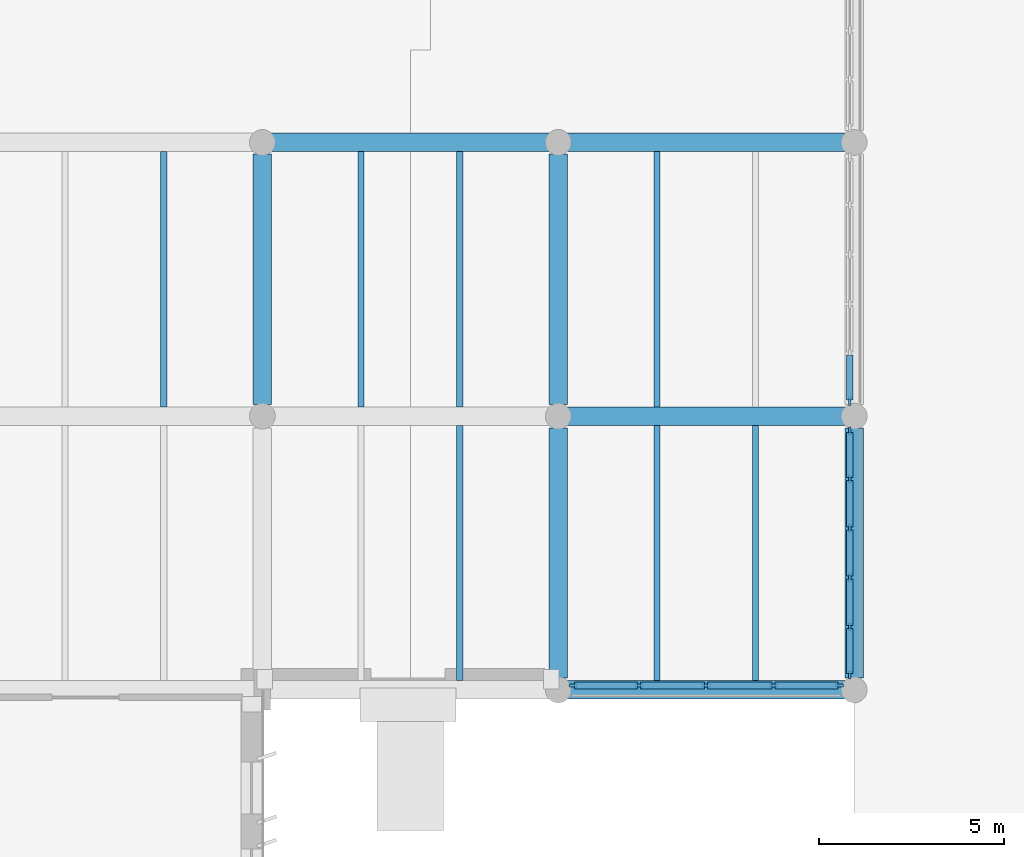
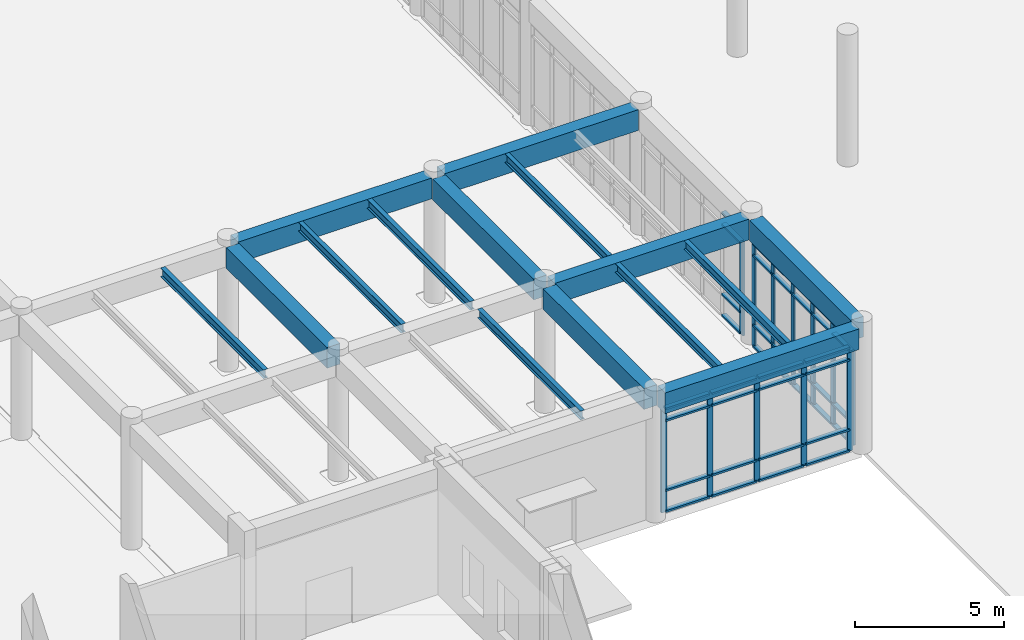
# One storey, part 4 of 56: 52 members, 15 beams, 3 elements without a shape of their own.
"""IFC4 building model written with IfcOpenShell, lengths in metres."""

from ifc_helpers import new_model, si_unit, direction, frame, origin, origin_2d, place, context, subcontext, project, spatial, rectangle, i_section, extrude, material, layer, layer_set, material_profile, profile_set, type_object, element, aggregate, save


model = new_model("IFC4")

# Units and contexts
model_context = context("Model", 3, precision=1e-05, world=origin(), true_north=direction((0.0, 1.0)))
body_context = subcontext(model_context, "Body", "Model", "MODEL_VIEW")
ifc_project = project(units=[si_unit("LENGTHUNIT", "METRE"), si_unit("AREAUNIT", "SQUARE_METRE"), si_unit("VOLUMEUNIT", "CUBIC_METRE"), si_unit("PLANEANGLEUNIT", "RADIAN"), si_unit("MASSUNIT", "GRAM", prefix="KILO")], contexts=[model_context])

# Site, building, storey
site_placement = place(None, origin())
site = spatial("IfcSite", under=ifc_project, at=site_placement, CompositionType="ELEMENT")
building_placement = place(site_placement, origin())
building = spatial("IfcBuilding", under=site, at=building_placement, Name="Valkorina Park Police Headquarters", CompositionType="ELEMENT")
storey_placement = place(building_placement, origin())
storey = spatial("IfcBuildingStorey", under=building, at=storey_placement, Name="L01", CompositionType="ELEMENT", Elevation=0.0)

# Beams
ifc_material_1 = material(Name="Concrete C40/50", Category="concrete")
ifc_material_profile_1 = material_profile(ifc_material_1, rectangle(XDim=0.5, YDim=0.85009765625, at=origin_2d()), Name="RC BEAM 500x850")
ifc_profile_set_1 = profile_set([ifc_material_profile_1], Name="Concrete C40/50")
beam_type_1 = type_object("IfcBeamType", Name="BM-RC-500x850-EXT", PredefinedType="SPANDREL", material=ifc_profile_set_1)
beam_1_placement = place(storey_placement, frame((73.044921875, 22.199951171875, 4.715087890625), z_axis=(1.0, 0.0, 0.0), x_axis=(0.0, 1.0, 0.0)))
element("IfcBeam", 1, at=beam_1_placement, inside=storey, type_object=beam_type_1, Name="L01 Framing Beam 0724", PredefinedType="SPANDREL", context=body_context, shape_type="SweptSolid", body=[
    extrude(rectangle(XDim=0.5, YDim=0.85009765625, at=origin_2d()), origin(), (0.0, 0.0, 1.0), 7.51025390625),
])
beam_2_placement = place(storey_placement, frame((80.800048828125, 22.51611328125, 4.715087890625), z_axis=(0.0, 1.0, 0.0), x_axis=(-1.0, 0.0, 0.0)))
element("IfcBeam", 2, at=beam_2_placement, inside=storey, type_object=beam_type_1, Name="L01 Framing Beam 1074", PredefinedType="SPANDREL", context=body_context, shape_type="SweptSolid", body=[
    extrude(rectangle(XDim=0.5, YDim=0.85009765625, at=origin_2d()), origin(), (0.0, 0.0, 1.0), 6.767578125),
])
ifc_material_profile_2 = material_profile(ifc_material_1, rectangle(XDim=0.5, YDim=0.85009765625, at=origin_2d()), Name="RC BEAM 500x850")
ifc_profile_set_2 = profile_set([ifc_material_profile_2], Name="Concrete C40/50")
beam_type_2 = type_object("IfcBeamType", Name="BM-RC-500x850-INT", PredefinedType="BEAM", material=ifc_profile_set_2)
for number, where, z_axis, x_axis, name in (
    (3, (73.044921875, 29.60009765625, 4.715087890625), (1.0, 0.0, 0.0), (0.0, 1.0, 0.0), "L01 Framing Beam 0732"),
    (4, (65.044921875, 37.0, 4.715087890625), (1.0, 0.0, 0.0), (0.0, 1.0, 0.0), "L01 Framing Beam 0743"),
    (5, (73.044921875, 37.0, 4.715087890625), (1.0, 0.0, 0.0), (0.0, 1.0, 0.0), "L01 Framing Beam 0744"),
):
    element("IfcBeam", number, at=place(storey_placement, frame(where, z_axis=z_axis, x_axis=x_axis)), inside=storey, type_object=beam_type_2, Name=name, PredefinedType="BEAM", context=body_context, shape_type="SweptSolid", body=[
        extrude(rectangle(XDim=0.5, YDim=0.85009765625, at=origin_2d()), origin(), (0.0, 0.0, 1.0), 7.51025390625),
    ])
for number, where, z_axis, x_axis, name in (
    (6, (64.800048828125, 29.916259765625, 4.715087890625), (0.0, 1.0, 0.0), (-1.0, 0.0, 0.0), "L01 Framing Beam 1047"),
    (7, (72.800048828125, 22.51611328125, 4.715087890625), (0.0, 1.0, 0.0), (-1.0, 0.0, 0.0), "L01 Framing Beam 1059"),
    (8, (72.800048828125, 29.916259765625, 4.715087890625), (0.0, 1.0, 0.0), (-1.0, 0.0, 0.0), "L01 Framing Beam 1062"),
):
    element("IfcBeam", number, at=place(storey_placement, frame(where, z_axis=z_axis, x_axis=x_axis)), inside=storey, type_object=beam_type_2, Name=name, PredefinedType="BEAM", context=body_context, shape_type="SweptSolid", body=[
        extrude(rectangle(XDim=0.5, YDim=0.85009765625, at=origin_2d()), origin(), (0.0, 0.0, 1.0), 6.767578125),
    ])
ifc_material_2 = material(Name="Steel S355", Category="steel")
ifc_material_profile_3 = material_profile(ifc_material_2, i_section(OverallWidth=0.169921875, OverallDepth=0.360107421875, WebThickness=0.008056640625, FlangeThickness=0.0126953125, FilletRadius=0.01806640625, at=origin_2d()), Name="IPE 360")
ifc_profile_set_3 = profile_set([ifc_material_profile_3], Name="Steel S355")
beam_type_3 = type_object("IfcBeamType", Name="BM-S355-IPE360-JST", PredefinedType="JOIST", material=ifc_profile_set_3)
beam_3_placement = place(storey_placement, frame((62.13330078125, 29.85009765625, 4.9599609375), z_axis=(0.0, 1.0, 0.0), x_axis=(-1.0, 0.0, 0.0)))
element("IfcBeam", 9, at=beam_3_placement, inside=storey, type_object=beam_type_3, Name="L01 Framing Beam 1027", PredefinedType="JOIST", context=body_context, shape_type="SweptSolid", body=[
    extrude(i_section(OverallWidth=0.169921875, OverallDepth=0.360107421875, WebThickness=0.008056640625, FlangeThickness=0.0126953125, FilletRadius=0.01806640625, at=origin_2d()), origin(), (0.0, 0.0, 1.0), 6.89990234375),
])
beam_4_placement = place(storey_placement, frame((70.13330078125, 22.449951171875, 4.9599609375), z_axis=(0.0, 1.0, 0.0), x_axis=(-1.0, 0.0, 0.0)))
element("IfcBeam", 10, at=beam_4_placement, inside=storey, type_object=beam_type_3, Name="L01 Framing Beam 1046", PredefinedType="JOIST", context=body_context, shape_type="SweptSolid", body=[
    extrude(i_section(OverallWidth=0.169921875, OverallDepth=0.360107421875, WebThickness=0.008056640625, FlangeThickness=0.0126953125, FilletRadius=0.01806640625, at=origin_2d()), origin(), (0.0, 0.0, 1.0), 6.900146484375),
])
for number, where, z_axis, x_axis, name in (
    (11, (67.466796875, 29.85009765625, 4.9599609375), (0.0, 1.0, 0.0), (-1.0, 0.0, 0.0), "L01 Framing Beam 1048"),
    (12, (70.13330078125, 29.85009765625, 4.9599609375), (0.0, 1.0, 0.0), (-1.0, 0.0, 0.0), "L01 Framing Beam 1049"),
):
    element("IfcBeam", number, at=place(storey_placement, frame(where, z_axis=z_axis, x_axis=x_axis)), inside=storey, type_object=beam_type_3, Name=name, PredefinedType="JOIST", context=body_context, shape_type="SweptSolid", body=[
        extrude(i_section(OverallWidth=0.169921875, OverallDepth=0.360107421875, WebThickness=0.008056640625, FlangeThickness=0.0126953125, FilletRadius=0.01806640625, at=origin_2d()), origin(), (0.0, 0.0, 1.0), 6.89990234375),
    ])
for number, where, z_axis, x_axis, name in (
    (13, (75.466796875, 22.449951171875, 4.9599609375), (0.0, 1.0, 0.0), (-1.0, 0.0, 0.0), "L01 Framing Beam 1060"),
    (14, (78.13330078125, 22.449951171875, 4.9599609375), (0.0, 1.0, 0.0), (-1.0, 0.0, 0.0), "L01 Framing Beam 1061"),
):
    element("IfcBeam", number, at=place(storey_placement, frame(where, z_axis=z_axis, x_axis=x_axis)), inside=storey, type_object=beam_type_3, Name=name, PredefinedType="JOIST", context=body_context, shape_type="SweptSolid", body=[
        extrude(i_section(OverallWidth=0.169921875, OverallDepth=0.360107421875, WebThickness=0.008056640625, FlangeThickness=0.0126953125, FilletRadius=0.01806640625, at=origin_2d()), origin(), (0.0, 0.0, 1.0), 6.900146484375),
    ])
beam_5_placement = place(storey_placement, frame((75.466796875, 29.85009765625, 4.9599609375), z_axis=(0.0, 1.0, 0.0), x_axis=(-1.0, 0.0, 0.0)))
element("IfcBeam", 15, at=beam_5_placement, inside=storey, type_object=beam_type_3, Name="L01 Framing Beam 1063", PredefinedType="JOIST", context=body_context, shape_type="SweptSolid", body=[
    extrude(i_section(OverallWidth=0.169921875, OverallDepth=0.360107421875, WebThickness=0.008056640625, FlangeThickness=0.0126953125, FilletRadius=0.01806640625, at=origin_2d()), origin(), (0.0, 0.0, 1.0), 6.89990234375),
])

# Curtain wall, member
ifc_material_3 = material(Name="Thermally broken aluminium AW-6060", Category="aluminium")
ifc_layer_1 = layer(ifc_material_3, 0.18994140625)
ifc_layer_set_1 = layer_set([ifc_layer_1], Name="Thermally broken aluminium AW-6060")
curtain_wall_type_1 = type_object("IfcCurtainWallType", Name="CW-V4-6680x4280", PredefinedType="NOTDEFINED", material=ifc_layer_set_1)
curtain_wall_1_placement = place(storey_placement, origin())
curtain_wall_1 = element("IfcCurtainWall", 16, at=curtain_wall_1_placement, inside=storey, type_object=curtain_wall_type_1, Name="L01 Unitised Curtain Wall 004", PredefinedType="NOTDEFINED")
ifc_material_profile_4 = material_profile(ifc_material_3, rectangle(XDim=0.080078125, YDim=0.219970703125, at=origin_2d()), Name="CWM-03 80x220")
ifc_profile_set_4 = profile_set([ifc_material_profile_4], Name="Thermally broken aluminium AW-6060")
member_type_1 = type_object("IfcMemberType", Name="CWM-80x220", PredefinedType="MULLION", material=ifc_profile_set_4)
member_1_placement = place(storey_placement, frame((80.679931640625, 30.0, 0.0), z_axis=(0.0, 0.0, 1.0), x_axis=(1.0, 0.0, 0.0)))
member_1 = element("IfcMember", 17, at=member_1_placement, type_object=member_type_1, Name="CW-V4-668-428 mullion 6", PredefinedType="MULLION", context=body_context, shape_type="SweptSolid", body=[
    extrude(rectangle(XDim=0.080078125, YDim=0.219970703125, at=origin_2d()), origin(), (0.0, 0.0, 1.0), 4.280029296875),
])

# Curtain wall, members
curtain_wall_2_placement = place(storey_placement, origin())
curtain_wall_2 = element("IfcCurtainWall", 18, at=curtain_wall_2_placement, inside=storey, type_object=curtain_wall_type_1, Name="L01 Unitised Curtain Wall 005", PredefinedType="NOTDEFINED")
member_2_placement = place(storey_placement, frame((80.679931640625, 29.199951171875, 0.0), z_axis=(0.0, 0.0, 1.0), x_axis=(1.0, 0.0, 0.0)))
member_2 = element("IfcMember", 19, at=member_2_placement, type_object=member_type_1, Name="CW-V4-668-428 mullion 1", PredefinedType="MULLION", context=body_context, shape_type="SweptSolid", body=[
    extrude(rectangle(XDim=0.080078125, YDim=0.219970703125, at=origin_2d()), origin(), (0.0, 0.0, 1.0), 4.280029296875),
])
member_3_placement = place(storey_placement, frame((80.679931640625, 27.904052734375, 0.0), z_axis=(0.0, 0.0, 1.0), x_axis=(1.0, 0.0, 0.0)))
member_3 = element("IfcMember", 20, at=member_3_placement, type_object=member_type_1, Name="CW-V4-668-428 mullion 2", PredefinedType="MULLION", context=body_context, shape_type="SweptSolid", body=[
    extrude(rectangle(XDim=0.080078125, YDim=0.219970703125, at=origin_2d()), origin(), (0.0, 0.0, 1.0), 4.280029296875),
])
member_4_placement = place(storey_placement, frame((80.679931640625, 26.568115234375, 0.0), z_axis=(0.0, 0.0, 1.0), x_axis=(1.0, 0.0, 0.0)))
member_4 = element("IfcMember", 21, at=member_4_placement, type_object=member_type_1, Name="CW-V4-668-428 mullion 3", PredefinedType="MULLION", context=body_context, shape_type="SweptSolid", body=[
    extrude(rectangle(XDim=0.080078125, YDim=0.219970703125, at=origin_2d()), origin(), (0.0, 0.0, 1.0), 4.280029296875),
])
member_5_placement = place(storey_placement, frame((80.679931640625, 25.23193359375, 0.0), z_axis=(0.0, 0.0, 1.0), x_axis=(1.0, 0.0, 0.0)))
member_5 = element("IfcMember", 22, at=member_5_placement, type_object=member_type_1, Name="CW-V4-668-428 mullion 4", PredefinedType="MULLION", context=body_context, shape_type="SweptSolid", body=[
    extrude(rectangle(XDim=0.080078125, YDim=0.219970703125, at=origin_2d()), origin(), (0.0, 0.0, 1.0), 4.280029296875),
])
member_6_placement = place(storey_placement, frame((80.679931640625, 23.89599609375, 0.0), z_axis=(0.0, 0.0, 1.0), x_axis=(1.0, 0.0, 0.0)))
member_6 = element("IfcMember", 23, at=member_6_placement, type_object=member_type_1, Name="CW-V4-668-428 mullion 5", PredefinedType="MULLION", context=body_context, shape_type="SweptSolid", body=[
    extrude(rectangle(XDim=0.080078125, YDim=0.219970703125, at=origin_2d()), origin(), (0.0, 0.0, 1.0), 4.280029296875),
])
member_7_placement = place(storey_placement, frame((80.679931640625, 22.60009765625, 0.0), z_axis=(0.0, 0.0, 1.0), x_axis=(1.0, 0.0, 0.0)))
member_7 = element("IfcMember", 24, at=member_7_placement, type_object=member_type_1, Name="CW-V4-668-428 mullion 6", PredefinedType="MULLION", context=body_context, shape_type="SweptSolid", body=[
    extrude(rectangle(XDim=0.080078125, YDim=0.219970703125, at=origin_2d()), origin(), (0.0, 0.0, 1.0), 4.280029296875),
])

ifc_layer_2 = layer(ifc_material_3, 0.18994140625)
ifc_layer_set_2 = layer_set([ifc_layer_2], Name="Thermally broken aluminium AW-6060")
curtain_wall_type_2 = type_object("IfcCurtainWallType", Name="CW-V4-7280x4280", PredefinedType="NOTDEFINED", material=ifc_layer_set_2)
curtain_wall_3_placement = place(storey_placement, origin())
curtain_wall_3 = element("IfcCurtainWall", 25, at=curtain_wall_3_placement, inside=storey, type_object=curtain_wall_type_2, Name="L01 Unitised Curtain Wall 006", PredefinedType="NOTDEFINED")
member_8_placement = place(storey_placement, frame((80.39990234375, 22.320068359375, 0.0), z_axis=(0.0, 0.0, 1.0), x_axis=(0.0, -1.0, 0.0)))
member_8 = element("IfcMember", 26, at=member_8_placement, type_object=member_type_1, Name="CW-V4-728-428 mullion 1", PredefinedType="MULLION", context=body_context, shape_type="SweptSolid", body=[
    extrude(rectangle(XDim=0.080078125, YDim=0.219970703125, at=origin_2d()), origin(), (0.0, 0.0, 1.0), 4.280029296875),
])
member_9_placement = place(storey_placement, frame((78.6201171875, 22.320068359375, 0.0), z_axis=(0.0, 0.0, 1.0), x_axis=(0.0, -1.0, 0.0)))
member_9 = element("IfcMember", 27, at=member_9_placement, type_object=member_type_1, Name="CW-V4-728-428 mullion 2", PredefinedType="MULLION", context=body_context, shape_type="SweptSolid", body=[
    extrude(rectangle(XDim=0.080078125, YDim=0.219970703125, at=origin_2d()), origin(), (0.0, 0.0, 1.0), 4.280029296875),
])
member_10_placement = place(storey_placement, frame((76.800048828125, 22.320068359375, 0.0), z_axis=(0.0, 0.0, 1.0), x_axis=(0.0, -1.0, 0.0)))
member_10 = element("IfcMember", 28, at=member_10_placement, type_object=member_type_1, Name="CW-V4-728-428 mullion 3", PredefinedType="MULLION", context=body_context, shape_type="SweptSolid", body=[
    extrude(rectangle(XDim=0.080078125, YDim=0.219970703125, at=origin_2d()), origin(), (0.0, 0.0, 1.0), 4.280029296875),
])
member_11_placement = place(storey_placement, frame((74.97998046875, 22.320068359375, 0.0), z_axis=(0.0, 0.0, 1.0), x_axis=(0.0, -1.0, 0.0)))
member_11 = element("IfcMember", 29, at=member_11_placement, type_object=member_type_1, Name="CW-V4-728-428 mullion 4", PredefinedType="MULLION", context=body_context, shape_type="SweptSolid", body=[
    extrude(rectangle(XDim=0.080078125, YDim=0.219970703125, at=origin_2d()), origin(), (0.0, 0.0, 1.0), 4.280029296875),
])
member_12_placement = place(storey_placement, frame((73.199951171875, 22.320068359375, 0.0), z_axis=(0.0, 0.0, 1.0), x_axis=(0.0, -1.0, 0.0)))
member_12 = element("IfcMember", 30, at=member_12_placement, type_object=member_type_1, Name="CW-V4-728-428 mullion 5", PredefinedType="MULLION", context=body_context, shape_type="SweptSolid", body=[
    extrude(rectangle(XDim=0.080078125, YDim=0.219970703125, at=origin_2d()), origin(), (0.0, 0.0, 1.0), 4.280029296875),
])

# Member
ifc_material_profile_5 = material_profile(ifc_material_3, rectangle(XDim=0.179931640625, YDim=0.080078125, at=origin_2d()), Name="CWT-03 180x80")
ifc_profile_set_5 = profile_set([ifc_material_profile_5], Name="Thermally broken aluminium AW-6060")
member_type_2 = type_object("IfcMemberType", Name="CWT-180x80", PredefinedType="USERDEFINED", material=ifc_profile_set_5)
member_13_placement = place(storey_placement, frame((80.679931640625, 31.256103515625, 0.0400390625), z_axis=(0.0, -1.0, 0.0), x_axis=(1.0, 0.0, 0.0)))
member_13 = element("IfcMember", 31, at=member_13_placement, type_object=member_type_2, Name="CW-V4-668-428 transom 5.1", ObjectType="TRANSOM", PredefinedType="USERDEFINED", context=body_context, shape_type="SweptSolid", body=[
    extrude(rectangle(XDim=0.179931640625, YDim=0.080078125, at=origin_2d()), origin(), (0.0, 0.0, 1.0), 1.216064453125),
])

member_14_placement = place(storey_placement, frame((80.679931640625, 31.256103515625, 0.89990234375), z_axis=(0.0, -1.0, 0.0), x_axis=(1.0, 0.0, 0.0)))
member_14 = element("IfcMember", 32, at=member_14_placement, type_object=member_type_2, Name="CW-V4-668-428 transom 5.2", ObjectType="TRANSOM", PredefinedType="USERDEFINED", context=body_context, shape_type="SweptSolid", body=[
    extrude(rectangle(XDim=0.179931640625, YDim=0.080078125, at=origin_2d()), origin(), (0.0, 0.0, 1.0), 1.216064453125),
])

member_15_placement = place(storey_placement, frame((80.679931640625, 31.256103515625, 3.760009765625), z_axis=(0.0, -1.0, 0.0), x_axis=(1.0, 0.0, 0.0)))
member_15 = element("IfcMember", 33, at=member_15_placement, type_object=member_type_2, Name="CW-V4-668-428 transom 5.3", ObjectType="TRANSOM", PredefinedType="USERDEFINED", context=body_context, shape_type="SweptSolid", body=[
    extrude(rectangle(XDim=0.179931640625, YDim=0.080078125, at=origin_2d()), origin(), (0.0, 0.0, 1.0), 1.216064453125),
])

member_16_placement = place(storey_placement, frame((80.679931640625, 31.256103515625, 4.239990234375), z_axis=(0.0, -1.0, 0.0), x_axis=(1.0, 0.0, 0.0)))
member_16 = element("IfcMember", 34, at=member_16_placement, type_object=member_type_2, Name="CW-V4-668-428 transom 5.4", ObjectType="TRANSOM", PredefinedType="USERDEFINED", context=body_context, shape_type="SweptSolid", body=[
    extrude(rectangle(XDim=0.179931640625, YDim=0.080078125, at=origin_2d()), origin(), (0.0, 0.0, 1.0), 1.216064453125),
])

aggregate(curtain_wall_1, [member_1, member_13, member_14, member_15, member_16])

member_17_placement = place(storey_placement, frame((80.679931640625, 29.159912109375, 0.0400390625), z_axis=(0.0, -1.0, 0.0), x_axis=(1.0, 0.0, 0.0)))
member_17 = element("IfcMember", 35, at=member_17_placement, type_object=member_type_2, Name="CW-V4-668-428 transom 1.1", ObjectType="TRANSOM", PredefinedType="USERDEFINED", context=body_context, shape_type="SweptSolid", body=[
    extrude(rectangle(XDim=0.179931640625, YDim=0.080078125, at=origin_2d()), origin(), (0.0, 0.0, 1.0), 1.2158203125),
])

member_18_placement = place(storey_placement, frame((80.679931640625, 29.159912109375, 0.89990234375), z_axis=(0.0, -1.0, 0.0), x_axis=(1.0, 0.0, 0.0)))
member_18 = element("IfcMember", 36, at=member_18_placement, type_object=member_type_2, Name="CW-V4-668-428 transom 1.2", ObjectType="TRANSOM", PredefinedType="USERDEFINED", context=body_context, shape_type="SweptSolid", body=[
    extrude(rectangle(XDim=0.179931640625, YDim=0.080078125, at=origin_2d()), origin(), (0.0, 0.0, 1.0), 1.2158203125),
])

member_19_placement = place(storey_placement, frame((80.679931640625, 29.159912109375, 3.760009765625), z_axis=(0.0, -1.0, 0.0), x_axis=(1.0, 0.0, 0.0)))
member_19 = element("IfcMember", 37, at=member_19_placement, type_object=member_type_2, Name="CW-V4-668-428 transom 1.3", ObjectType="TRANSOM", PredefinedType="USERDEFINED", context=body_context, shape_type="SweptSolid", body=[
    extrude(rectangle(XDim=0.179931640625, YDim=0.080078125, at=origin_2d()), origin(), (0.0, 0.0, 1.0), 1.2158203125),
])

member_20_placement = place(storey_placement, frame((80.679931640625, 29.159912109375, 4.239990234375), z_axis=(0.0, -1.0, 0.0), x_axis=(1.0, 0.0, 0.0)))
member_20 = element("IfcMember", 38, at=member_20_placement, type_object=member_type_2, Name="CW-V4-668-428 transom 1.4", ObjectType="TRANSOM", PredefinedType="USERDEFINED", context=body_context, shape_type="SweptSolid", body=[
    extrude(rectangle(XDim=0.179931640625, YDim=0.080078125, at=origin_2d()), origin(), (0.0, 0.0, 1.0), 1.2158203125),
])

member_21_placement = place(storey_placement, frame((80.679931640625, 27.864013671875, 0.0400390625), z_axis=(0.0, -1.0, 0.0), x_axis=(1.0, 0.0, 0.0)))
member_21 = element("IfcMember", 39, at=member_21_placement, type_object=member_type_2, Name="CW-V4-668-428 transom 2.1", ObjectType="TRANSOM", PredefinedType="USERDEFINED", context=body_context, shape_type="SweptSolid", body=[
    extrude(rectangle(XDim=0.179931640625, YDim=0.080078125, at=origin_2d()), origin(), (0.0, 0.0, 1.0), 1.256103515625),
])

member_22_placement = place(storey_placement, frame((80.679931640625, 27.864013671875, 0.89990234375), z_axis=(0.0, -1.0, 0.0), x_axis=(1.0, 0.0, 0.0)))
member_22 = element("IfcMember", 40, at=member_22_placement, type_object=member_type_2, Name="CW-V4-668-428 transom 2.2", ObjectType="TRANSOM", PredefinedType="USERDEFINED", context=body_context, shape_type="SweptSolid", body=[
    extrude(rectangle(XDim=0.179931640625, YDim=0.080078125, at=origin_2d()), origin(), (0.0, 0.0, 1.0), 1.256103515625),
])

member_23_placement = place(storey_placement, frame((80.679931640625, 27.864013671875, 3.760009765625), z_axis=(0.0, -1.0, 0.0), x_axis=(1.0, 0.0, 0.0)))
member_23 = element("IfcMember", 41, at=member_23_placement, type_object=member_type_2, Name="CW-V4-668-428 transom 2.3", ObjectType="TRANSOM", PredefinedType="USERDEFINED", context=body_context, shape_type="SweptSolid", body=[
    extrude(rectangle(XDim=0.179931640625, YDim=0.080078125, at=origin_2d()), origin(), (0.0, 0.0, 1.0), 1.256103515625),
])

member_24_placement = place(storey_placement, frame((80.679931640625, 27.864013671875, 4.239990234375), z_axis=(0.0, -1.0, 0.0), x_axis=(1.0, 0.0, 0.0)))
member_24 = element("IfcMember", 42, at=member_24_placement, type_object=member_type_2, Name="CW-V4-668-428 transom 2.4", ObjectType="TRANSOM", PredefinedType="USERDEFINED", context=body_context, shape_type="SweptSolid", body=[
    extrude(rectangle(XDim=0.179931640625, YDim=0.080078125, at=origin_2d()), origin(), (0.0, 0.0, 1.0), 1.256103515625),
])

member_25_placement = place(storey_placement, frame((80.679931640625, 26.528076171875, 0.0400390625), z_axis=(0.0, -1.0, 0.0), x_axis=(1.0, 0.0, 0.0)))
member_25 = element("IfcMember", 43, at=member_25_placement, type_object=member_type_2, Name="CW-V4-668-428 transom 3.1", ObjectType="TRANSOM", PredefinedType="USERDEFINED", context=body_context, shape_type="SweptSolid", body=[
    extrude(rectangle(XDim=0.179931640625, YDim=0.080078125, at=origin_2d()), origin(), (0.0, 0.0, 1.0), 1.256103515625),
])

member_26_placement = place(storey_placement, frame((80.679931640625, 26.528076171875, 0.89990234375), z_axis=(0.0, -1.0, 0.0), x_axis=(1.0, 0.0, 0.0)))
member_26 = element("IfcMember", 44, at=member_26_placement, type_object=member_type_2, Name="CW-V4-668-428 transom 3.2", ObjectType="TRANSOM", PredefinedType="USERDEFINED", context=body_context, shape_type="SweptSolid", body=[
    extrude(rectangle(XDim=0.179931640625, YDim=0.080078125, at=origin_2d()), origin(), (0.0, 0.0, 1.0), 1.256103515625),
])

member_27_placement = place(storey_placement, frame((80.679931640625, 26.528076171875, 3.760009765625), z_axis=(0.0, -1.0, 0.0), x_axis=(1.0, 0.0, 0.0)))
member_27 = element("IfcMember", 45, at=member_27_placement, type_object=member_type_2, Name="CW-V4-668-428 transom 3.3", ObjectType="TRANSOM", PredefinedType="USERDEFINED", context=body_context, shape_type="SweptSolid", body=[
    extrude(rectangle(XDim=0.179931640625, YDim=0.080078125, at=origin_2d()), origin(), (0.0, 0.0, 1.0), 1.256103515625),
])

member_28_placement = place(storey_placement, frame((80.679931640625, 26.528076171875, 4.239990234375), z_axis=(0.0, -1.0, 0.0), x_axis=(1.0, 0.0, 0.0)))
member_28 = element("IfcMember", 46, at=member_28_placement, type_object=member_type_2, Name="CW-V4-668-428 transom 3.4", ObjectType="TRANSOM", PredefinedType="USERDEFINED", context=body_context, shape_type="SweptSolid", body=[
    extrude(rectangle(XDim=0.179931640625, YDim=0.080078125, at=origin_2d()), origin(), (0.0, 0.0, 1.0), 1.256103515625),
])

member_29_placement = place(storey_placement, frame((80.679931640625, 25.19189453125, 0.0400390625), z_axis=(0.0, -1.0, 0.0), x_axis=(1.0, 0.0, 0.0)))
member_29 = element("IfcMember", 47, at=member_29_placement, type_object=member_type_2, Name="CW-V4-668-428 transom 4.1", ObjectType="TRANSOM", PredefinedType="USERDEFINED", context=body_context, shape_type="SweptSolid", body=[
    extrude(rectangle(XDim=0.179931640625, YDim=0.080078125, at=origin_2d()), origin(), (0.0, 0.0, 1.0), 1.255859375),
])

member_30_placement = place(storey_placement, frame((80.679931640625, 25.19189453125, 0.89990234375), z_axis=(0.0, -1.0, 0.0), x_axis=(1.0, 0.0, 0.0)))
member_30 = element("IfcMember", 48, at=member_30_placement, type_object=member_type_2, Name="CW-V4-668-428 transom 4.2", ObjectType="TRANSOM", PredefinedType="USERDEFINED", context=body_context, shape_type="SweptSolid", body=[
    extrude(rectangle(XDim=0.179931640625, YDim=0.080078125, at=origin_2d()), origin(), (0.0, 0.0, 1.0), 1.255859375),
])

member_31_placement = place(storey_placement, frame((80.679931640625, 25.19189453125, 3.760009765625), z_axis=(0.0, -1.0, 0.0), x_axis=(1.0, 0.0, 0.0)))
member_31 = element("IfcMember", 49, at=member_31_placement, type_object=member_type_2, Name="CW-V4-668-428 transom 4.3", ObjectType="TRANSOM", PredefinedType="USERDEFINED", context=body_context, shape_type="SweptSolid", body=[
    extrude(rectangle(XDim=0.179931640625, YDim=0.080078125, at=origin_2d()), origin(), (0.0, 0.0, 1.0), 1.255859375),
])

member_32_placement = place(storey_placement, frame((80.679931640625, 25.19189453125, 4.239990234375), z_axis=(0.0, -1.0, 0.0), x_axis=(1.0, 0.0, 0.0)))
member_32 = element("IfcMember", 50, at=member_32_placement, type_object=member_type_2, Name="CW-V4-668-428 transom 4.4", ObjectType="TRANSOM", PredefinedType="USERDEFINED", context=body_context, shape_type="SweptSolid", body=[
    extrude(rectangle(XDim=0.179931640625, YDim=0.080078125, at=origin_2d()), origin(), (0.0, 0.0, 1.0), 1.255859375),
])

member_33_placement = place(storey_placement, frame((80.679931640625, 23.85595703125, 0.0400390625), z_axis=(0.0, -1.0, 0.0), x_axis=(1.0, 0.0, 0.0)))
member_33 = element("IfcMember", 51, at=member_33_placement, type_object=member_type_2, Name="CW-V4-668-428 transom 5.1", ObjectType="TRANSOM", PredefinedType="USERDEFINED", context=body_context, shape_type="SweptSolid", body=[
    extrude(rectangle(XDim=0.179931640625, YDim=0.080078125, at=origin_2d()), origin(), (0.0, 0.0, 1.0), 1.216064453125),
])

member_34_placement = place(storey_placement, frame((80.679931640625, 23.85595703125, 0.89990234375), z_axis=(0.0, -1.0, 0.0), x_axis=(1.0, 0.0, 0.0)))
member_34 = element("IfcMember", 52, at=member_34_placement, type_object=member_type_2, Name="CW-V4-668-428 transom 5.2", ObjectType="TRANSOM", PredefinedType="USERDEFINED", context=body_context, shape_type="SweptSolid", body=[
    extrude(rectangle(XDim=0.179931640625, YDim=0.080078125, at=origin_2d()), origin(), (0.0, 0.0, 1.0), 1.216064453125),
])

member_35_placement = place(storey_placement, frame((80.679931640625, 23.85595703125, 3.760009765625), z_axis=(0.0, -1.0, 0.0), x_axis=(1.0, 0.0, 0.0)))
member_35 = element("IfcMember", 53, at=member_35_placement, type_object=member_type_2, Name="CW-V4-668-428 transom 5.3", ObjectType="TRANSOM", PredefinedType="USERDEFINED", context=body_context, shape_type="SweptSolid", body=[
    extrude(rectangle(XDim=0.179931640625, YDim=0.080078125, at=origin_2d()), origin(), (0.0, 0.0, 1.0), 1.216064453125),
])

member_36_placement = place(storey_placement, frame((80.679931640625, 23.85595703125, 4.239990234375), z_axis=(0.0, -1.0, 0.0), x_axis=(1.0, 0.0, 0.0)))
member_36 = element("IfcMember", 54, at=member_36_placement, type_object=member_type_2, Name="CW-V4-668-428 transom 5.4", ObjectType="TRANSOM", PredefinedType="USERDEFINED", context=body_context, shape_type="SweptSolid", body=[
    extrude(rectangle(XDim=0.179931640625, YDim=0.080078125, at=origin_2d()), origin(), (0.0, 0.0, 1.0), 1.216064453125),
])

aggregate(curtain_wall_2, [member_2, member_3, member_4, member_5, member_6, member_7, member_17, member_18, member_19, member_20, member_21, member_22, member_23, member_24, member_25, member_26, member_27, member_28, member_29, member_30, member_31, member_32, member_33, member_34, member_35, member_36])

member_37_placement = place(storey_placement, frame((80.360107421875, 22.320068359375, 0.0400390625), z_axis=(-1.0, 0.0, 0.0), x_axis=(0.0, -1.0, 0.0)))
member_37 = element("IfcMember", 55, at=member_37_placement, type_object=member_type_2, Name="CW-V4-728-428 transom 1.1", ObjectType="TRANSOM", PredefinedType="USERDEFINED", context=body_context, shape_type="SweptSolid", body=[
    extrude(rectangle(XDim=0.179931640625, YDim=0.080078125, at=origin_2d()), origin(), (0.0, 0.0, 1.0), 1.7001953125),
])

member_38_placement = place(storey_placement, frame((80.360107421875, 22.320068359375, 0.89990234375), z_axis=(-1.0, 0.0, 0.0), x_axis=(0.0, -1.0, 0.0)))
member_38 = element("IfcMember", 56, at=member_38_placement, type_object=member_type_2, Name="CW-V4-728-428 transom 1.2", ObjectType="TRANSOM", PredefinedType="USERDEFINED", context=body_context, shape_type="SweptSolid", body=[
    extrude(rectangle(XDim=0.179931640625, YDim=0.080078125, at=origin_2d()), origin(), (0.0, 0.0, 1.0), 1.7001953125),
])

member_39_placement = place(storey_placement, frame((80.360107421875, 22.320068359375, 3.760009765625), z_axis=(-1.0, 0.0, 0.0), x_axis=(0.0, -1.0, 0.0)))
member_39 = element("IfcMember", 57, at=member_39_placement, type_object=member_type_2, Name="CW-V4-728-428 transom 1.3", ObjectType="TRANSOM", PredefinedType="USERDEFINED", context=body_context, shape_type="SweptSolid", body=[
    extrude(rectangle(XDim=0.179931640625, YDim=0.080078125, at=origin_2d()), origin(), (0.0, 0.0, 1.0), 1.7001953125),
])

member_40_placement = place(storey_placement, frame((80.360107421875, 22.320068359375, 4.239990234375), z_axis=(-1.0, 0.0, 0.0), x_axis=(0.0, -1.0, 0.0)))
member_40 = element("IfcMember", 58, at=member_40_placement, type_object=member_type_2, Name="CW-V4-728-428 transom 1.4", ObjectType="TRANSOM", PredefinedType="USERDEFINED", context=body_context, shape_type="SweptSolid", body=[
    extrude(rectangle(XDim=0.179931640625, YDim=0.080078125, at=origin_2d()), origin(), (0.0, 0.0, 1.0), 1.7001953125),
])

member_41_placement = place(storey_placement, frame((78.580078125, 22.320068359375, 0.0400390625), z_axis=(-1.0, 0.0, 0.0), x_axis=(0.0, -1.0, 0.0)))
member_41 = element("IfcMember", 59, at=member_41_placement, type_object=member_type_2, Name="CW-V4-728-428 transom 2.1", ObjectType="TRANSOM", PredefinedType="USERDEFINED", context=body_context, shape_type="SweptSolid", body=[
    extrude(rectangle(XDim=0.179931640625, YDim=0.080078125, at=origin_2d()), origin(), (0.0, 0.0, 1.0), 1.739990234375),
])

member_42_placement = place(storey_placement, frame((78.580078125, 22.320068359375, 0.89990234375), z_axis=(-1.0, 0.0, 0.0), x_axis=(0.0, -1.0, 0.0)))
member_42 = element("IfcMember", 60, at=member_42_placement, type_object=member_type_2, Name="CW-V4-728-428 transom 2.2", ObjectType="TRANSOM", PredefinedType="USERDEFINED", context=body_context, shape_type="SweptSolid", body=[
    extrude(rectangle(XDim=0.179931640625, YDim=0.080078125, at=origin_2d()), origin(), (0.0, 0.0, 1.0), 1.739990234375),
])

member_43_placement = place(storey_placement, frame((78.580078125, 22.320068359375, 3.760009765625), z_axis=(-1.0, 0.0, 0.0), x_axis=(0.0, -1.0, 0.0)))
member_43 = element("IfcMember", 61, at=member_43_placement, type_object=member_type_2, Name="CW-V4-728-428 transom 2.3", ObjectType="TRANSOM", PredefinedType="USERDEFINED", context=body_context, shape_type="SweptSolid", body=[
    extrude(rectangle(XDim=0.179931640625, YDim=0.080078125, at=origin_2d()), origin(), (0.0, 0.0, 1.0), 1.739990234375),
])

member_44_placement = place(storey_placement, frame((78.580078125, 22.320068359375, 4.239990234375), z_axis=(-1.0, 0.0, 0.0), x_axis=(0.0, -1.0, 0.0)))
member_44 = element("IfcMember", 62, at=member_44_placement, type_object=member_type_2, Name="CW-V4-728-428 transom 2.4", ObjectType="TRANSOM", PredefinedType="USERDEFINED", context=body_context, shape_type="SweptSolid", body=[
    extrude(rectangle(XDim=0.179931640625, YDim=0.080078125, at=origin_2d()), origin(), (0.0, 0.0, 1.0), 1.739990234375),
])

member_45_placement = place(storey_placement, frame((76.760009765625, 22.320068359375, 0.0400390625), z_axis=(-1.0, 0.0, 0.0), x_axis=(0.0, -1.0, 0.0)))
member_45 = element("IfcMember", 63, at=member_45_placement, type_object=member_type_2, Name="CW-V4-728-428 transom 3.1", ObjectType="TRANSOM", PredefinedType="USERDEFINED", context=body_context, shape_type="SweptSolid", body=[
    extrude(rectangle(XDim=0.179931640625, YDim=0.080078125, at=origin_2d()), origin(), (0.0, 0.0, 1.0), 1.739990234375),
])

member_46_placement = place(storey_placement, frame((76.760009765625, 22.320068359375, 0.89990234375), z_axis=(-1.0, 0.0, 0.0), x_axis=(0.0, -1.0, 0.0)))
member_46 = element("IfcMember", 64, at=member_46_placement, type_object=member_type_2, Name="CW-V4-728-428 transom 3.2", ObjectType="TRANSOM", PredefinedType="USERDEFINED", context=body_context, shape_type="SweptSolid", body=[
    extrude(rectangle(XDim=0.179931640625, YDim=0.080078125, at=origin_2d()), origin(), (0.0, 0.0, 1.0), 1.739990234375),
])

member_47_placement = place(storey_placement, frame((76.760009765625, 22.320068359375, 3.760009765625), z_axis=(-1.0, 0.0, 0.0), x_axis=(0.0, -1.0, 0.0)))
member_47 = element("IfcMember", 65, at=member_47_placement, type_object=member_type_2, Name="CW-V4-728-428 transom 3.3", ObjectType="TRANSOM", PredefinedType="USERDEFINED", context=body_context, shape_type="SweptSolid", body=[
    extrude(rectangle(XDim=0.179931640625, YDim=0.080078125, at=origin_2d()), origin(), (0.0, 0.0, 1.0), 1.739990234375),
])

member_48_placement = place(storey_placement, frame((76.760009765625, 22.320068359375, 4.239990234375), z_axis=(-1.0, 0.0, 0.0), x_axis=(0.0, -1.0, 0.0)))
member_48 = element("IfcMember", 66, at=member_48_placement, type_object=member_type_2, Name="CW-V4-728-428 transom 3.4", ObjectType="TRANSOM", PredefinedType="USERDEFINED", context=body_context, shape_type="SweptSolid", body=[
    extrude(rectangle(XDim=0.179931640625, YDim=0.080078125, at=origin_2d()), origin(), (0.0, 0.0, 1.0), 1.739990234375),
])

member_49_placement = place(storey_placement, frame((74.93994140625, 22.320068359375, 0.0400390625), z_axis=(-1.0, 0.0, 0.0), x_axis=(0.0, -1.0, 0.0)))
member_49 = element("IfcMember", 67, at=member_49_placement, type_object=member_type_2, Name="CW-V4-728-428 transom 4.1", ObjectType="TRANSOM", PredefinedType="USERDEFINED", context=body_context, shape_type="SweptSolid", body=[
    extrude(rectangle(XDim=0.179931640625, YDim=0.080078125, at=origin_2d()), origin(), (0.0, 0.0, 1.0), 1.699951171875),
])

member_50_placement = place(storey_placement, frame((74.93994140625, 22.320068359375, 0.89990234375), z_axis=(-1.0, 0.0, 0.0), x_axis=(0.0, -1.0, 0.0)))
member_50 = element("IfcMember", 68, at=member_50_placement, type_object=member_type_2, Name="CW-V4-728-428 transom 4.2", ObjectType="TRANSOM", PredefinedType="USERDEFINED", context=body_context, shape_type="SweptSolid", body=[
    extrude(rectangle(XDim=0.179931640625, YDim=0.080078125, at=origin_2d()), origin(), (0.0, 0.0, 1.0), 1.699951171875),
])

member_51_placement = place(storey_placement, frame((74.93994140625, 22.320068359375, 3.760009765625), z_axis=(-1.0, 0.0, 0.0), x_axis=(0.0, -1.0, 0.0)))
member_51 = element("IfcMember", 69, at=member_51_placement, type_object=member_type_2, Name="CW-V4-728-428 transom 4.3", ObjectType="TRANSOM", PredefinedType="USERDEFINED", context=body_context, shape_type="SweptSolid", body=[
    extrude(rectangle(XDim=0.179931640625, YDim=0.080078125, at=origin_2d()), origin(), (0.0, 0.0, 1.0), 1.699951171875),
])

member_52_placement = place(storey_placement, frame((74.93994140625, 22.320068359375, 4.239990234375), z_axis=(-1.0, 0.0, 0.0), x_axis=(0.0, -1.0, 0.0)))
member_52 = element("IfcMember", 70, at=member_52_placement, type_object=member_type_2, Name="CW-V4-728-428 transom 4.4", ObjectType="TRANSOM", PredefinedType="USERDEFINED", context=body_context, shape_type="SweptSolid", body=[
    extrude(rectangle(XDim=0.179931640625, YDim=0.080078125, at=origin_2d()), origin(), (0.0, 0.0, 1.0), 1.699951171875),
])

aggregate(curtain_wall_3, [member_8, member_9, member_10, member_11, member_12, member_37, member_38, member_39, member_40, member_41, member_42, member_43, member_44, member_45, member_46, member_47, member_48, member_49, member_50, member_51, member_52])

save(model, "model.ifc")
